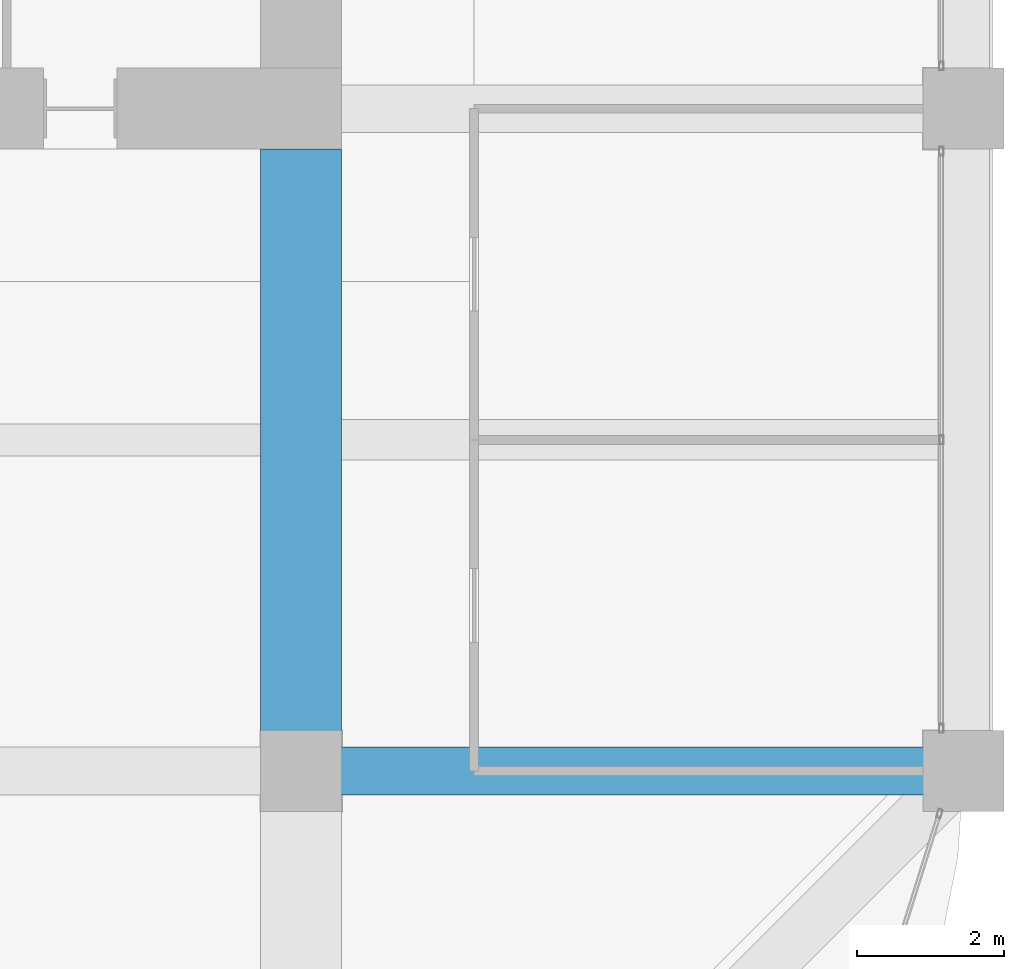
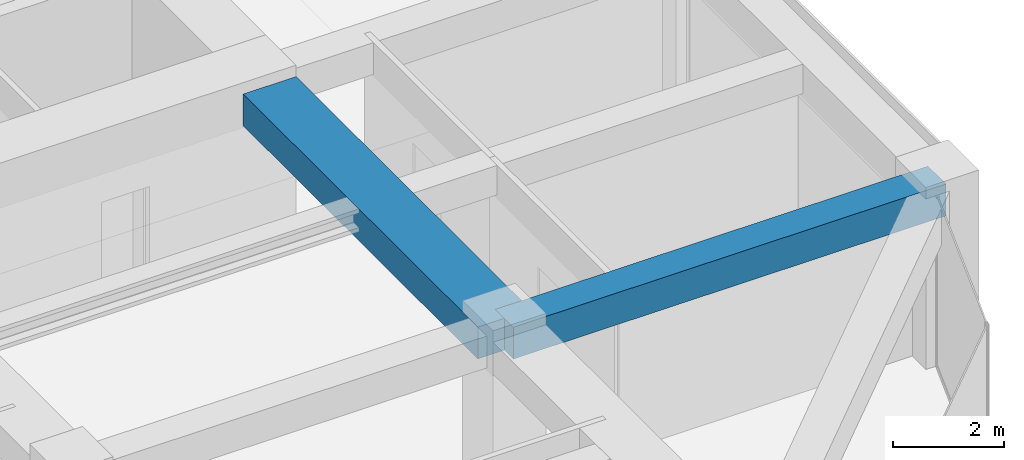
# One storey, part 21 of 44: 2 beams.
"""IFC4 building model written with IfcOpenShell, lengths in metres."""

from ifc_helpers import new_model, si_unit, direction, frame, origin, origin_2d, place, context, subcontext, project, spatial, rectangle, extrude, material, material_profile, profile_set, type_object, element, save


model = new_model("IFC4")

# Units and contexts
model_context = context("Model", 3, precision=1e-05, world=origin(), true_north=direction((0.0, 1.0)))
body_context = subcontext(model_context, "Body", "Model", "MODEL_VIEW")
ifc_project = project(units=[si_unit("LENGTHUNIT", "METRE"), si_unit("AREAUNIT", "SQUARE_METRE"), si_unit("VOLUMEUNIT", "CUBIC_METRE"), si_unit("PLANEANGLEUNIT", "RADIAN"), si_unit("MASSUNIT", "GRAM", prefix="KILO")], contexts=[model_context])

# Site, building, storey
site_placement = place(None, origin())
site = spatial("IfcSite", under=ifc_project, at=site_placement, CompositionType="ELEMENT")
building_placement = place(site_placement, origin())
building = spatial("IfcBuilding", under=site, at=building_placement, Name="Zorevar Civic Tower", CompositionType="ELEMENT")
storey_placement = place(building_placement, frame((0.0, 0.0, 295.39990234375)))
storey = spatial("IfcBuildingStorey", under=building, at=storey_placement, Name="L72", CompositionType="ELEMENT", Elevation=295.39990234375)

# Beams
ifc_material_1 = material(Name="Concrete C50/60", Category="concrete")
ifc_material_profile_1 = material_profile(ifc_material_1, rectangle(XDim=1.10009765625, YDim=0.699951171875, at=origin_2d()), Name="RC 1100x700")
ifc_profile_set_1 = profile_set([ifc_material_profile_1], Name="Concrete C50/60")
beam_type_1 = type_object("IfcBeamType", Name="Beam RC 1100x700", PredefinedType="BEAM", material=ifc_profile_set_1)
beam_1_placement = place(storey_placement, frame((45.0, 9.0, 3.400146484375), z_axis=(0.0, 1.0, 0.0), x_axis=(-1.0, 0.0, 0.0)))
element("IfcBeam", 1, at=beam_1_placement, inside=storey, type_object=beam_type_1, Name="Girder L73", PredefinedType="BEAM", context=body_context, shape_type="SweptSolid", body=[
    extrude(rectangle(XDim=1.10009765625, YDim=0.699951171875, at=origin_2d()), origin(), (0.0, 0.0, 1.0), 8.449951171875),
])
ifc_material_2 = material(Name="Concrete C50/60", Category="concrete")
ifc_material_profile_2 = material_profile(ifc_material_2, rectangle(XDim=0.64990234375, YDim=0.699951171875, at=origin_2d()), Name="RC 650x700")
ifc_profile_set_2 = profile_set([ifc_material_profile_2], Name="Concrete C50/60")
beam_type_2 = type_object("IfcBeamType", Name="Beam RC 650x700", PredefinedType="BEAM", material=ifc_profile_set_2)
beam_2_placement = place(storey_placement, frame((45.0, 9.0, 3.400146484375), z_axis=(1.0, 0.0, 0.0), x_axis=(0.0, 1.0, 0.0)))
element("IfcBeam", 2, at=beam_2_placement, inside=storey, type_object=beam_type_2, Name="Girder L73", PredefinedType="BEAM", context=body_context, shape_type="SweptSolid", body=[
    extrude(rectangle(XDim=0.64990234375, YDim=0.699951171875, at=origin_2d()), origin(), (0.0, 0.0, 1.0), 9.0),
])

save(model, "model.ifc")
